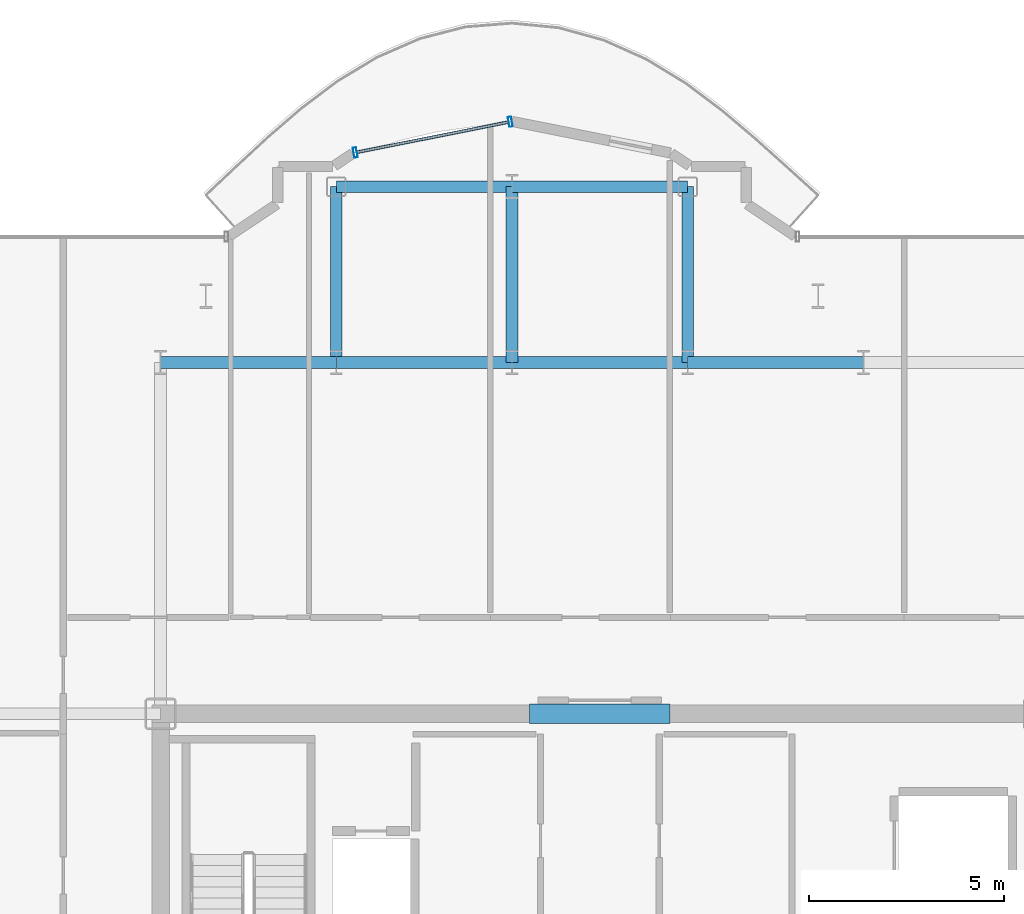
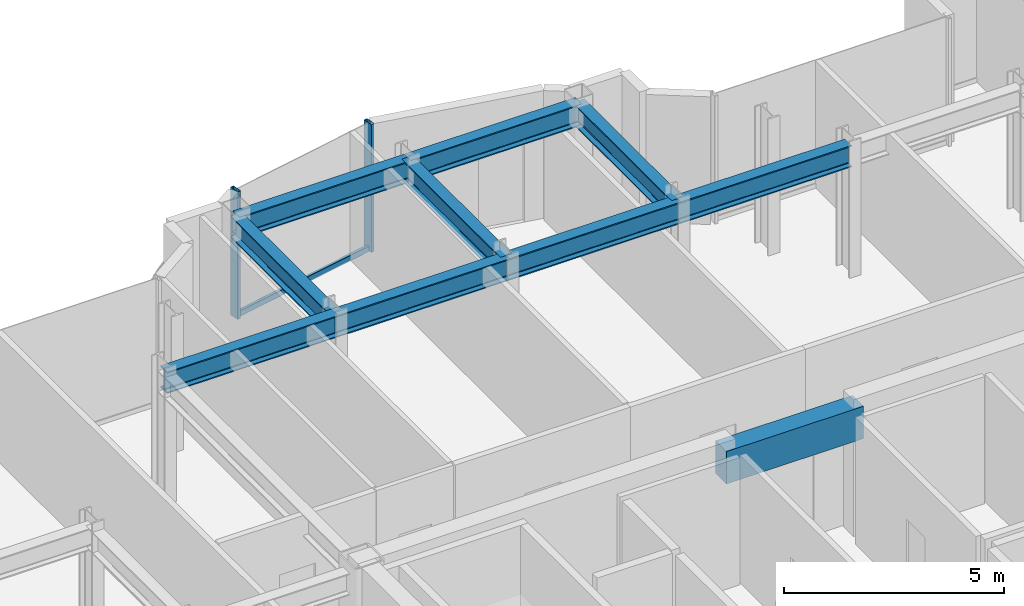
# One storey, part 10 of 18: 10 beams, 3 members, 1 element without a shape of its own.
"""IFC4 building model written with IfcOpenShell, lengths in metres."""

from ifc_helpers import new_model, si_unit, direction, frame, origin, origin_2d, place, context, subcontext, project, spatial, rectangle, hollow_rectangle, i_section, extrude, source, transform, mapped, material, layer, layer_set, material_profile, profile_set, type_object, element, aggregate, save


model = new_model("IFC4")

# Units and contexts
model_context = context("Model", 3, precision=1e-05, world=origin(), true_north=direction((0.0, 1.0)))
body_context = subcontext(model_context, "Body", "Model", "MODEL_VIEW")
ifc_project = project(units=[si_unit("LENGTHUNIT", "METRE"), si_unit("AREAUNIT", "SQUARE_METRE"), si_unit("VOLUMEUNIT", "CUBIC_METRE"), si_unit("PLANEANGLEUNIT", "RADIAN"), si_unit("MASSUNIT", "GRAM", prefix="KILO")], contexts=[model_context])

# Site, building, storey
site_placement = place(None, origin())
site = spatial("IfcSite", under=ifc_project, at=site_placement, CompositionType="ELEMENT")
building_placement = place(site_placement, origin())
building = spatial("IfcBuilding", under=site, at=building_placement, Name="Nefas-Gora Pilgrimage Tower", CompositionType="ELEMENT")
storey_placement = place(building_placement, frame((0.0, 0.0, 291.199951171875)))
storey = spatial("IfcBuildingStorey", under=building, at=storey_placement, Name="L73", CompositionType="ELEMENT", Elevation=291.199951171875)

# Beams
ifc_material_1 = material(Name="Concrete C50/60", Category="concrete")
ifc_material_profile_1 = material_profile(ifc_material_1, rectangle(XDim=0.5, YDim=0.89990234375, at=origin_2d()), Name="RC 500x900")
ifc_profile_set_1 = profile_set([ifc_material_profile_1], Name="Concrete C50/60")
beam_type_1 = type_object("IfcBeamType", Name="BM-LIN-RC900", PredefinedType="LINTEL", material=ifc_profile_set_1)
shared_shape_1 = source(origin(), body_context, "Body", "SweptSolid", [
    extrude(rectangle(XDim=0.5, YDim=0.89990234375, at=origin_2d()), origin(), (0.0, 0.0, 1.0), 3.60009765625),
])
beam_placement = place(storey_placement, frame((-1.800048828125, 9.0, 3.10009765625), z_axis=(1.0, 0.0, 0.0), x_axis=(0.0, 1.0, 0.0)))
element("IfcBeam", 1, at=beam_placement, inside=storey, type_object=beam_type_1, Name="L73 Core Coupling Lintel Beam N", PredefinedType="LINTEL", context=body_context, shape_type="MappedRepresentation", body=[
    mapped(shared_shape_1, transform((0.0, 0.0, 0.0), x_axis=(1.0, 0.0, 0.0), y_axis=(0.0, 1.0, 0.0), z_axis=(0.0, 0.0, 1.0), scale=1.0)),
])
ifc_material_2 = material(Name="Steel S355", Category="steel")
ifc_material_profile_2 = material_profile(ifc_material_2, i_section(OverallWidth=0.300048828125, OverallDepth=0.60009765625, WebThickness=0.015380859375, FlangeThickness=0.030029296875, FilletRadius=0.027099609375, at=origin_2d()), Name="HEB 600")
ifc_profile_set_2 = profile_set([ifc_material_profile_2], Name="Steel S355")
beam_type_2 = type_object("IfcBeamType", Name="BM-GIR-HEB600", PredefinedType="BEAM", material=ifc_profile_set_2)
shared_shape_2 = source(origin(), body_context, "Body", "SweptSolid", [
    extrude(i_section(OverallWidth=0.300048828125, OverallDepth=0.60009765625, WebThickness=0.015380859375, FlangeThickness=0.030029296875, FilletRadius=0.027099609375, at=origin_2d()), origin(), (0.0, 0.0, 1.0), 4.5),
])
for number, where, z_axis, x_axis, name in (
    (2, (-11.25, 18.0, 3.25), (1.0, 0.0, 0.0), (0.0, 1.0, 0.0), "L73 G-04 beam"),
    (3, (-6.75, 18.0, 3.25), (0.0, 1.0, 0.0), (-1.0, 0.0, 0.0), "L73 G-04 beam"),
    (4, (-6.75, 18.0, 3.25), (1.0, 0.0, 0.0), (0.0, 1.0, 0.0), "L73 G-04 beam"),
    (5, (-6.75, 22.5, 3.25), (1.0, 0.0, 0.0), (0.0, 1.0, 0.0), "L73 G-04 beam"),
    (6, (-2.25, 18.0, 3.25), (0.0, 1.0, 0.0), (-1.0, 0.0, 0.0), "L73 G-04 beam"),
    (7, (-2.25, 18.0, 3.25), (1.0, 0.0, 0.0), (0.0, 1.0, 0.0), "L73 G-04 beam"),
    (8, (-2.25, 22.5, 3.25), (1.0, 0.0, 0.0), (0.0, 1.0, 0.0), "L73 G-04 beam"),
    (9, (2.25, 18.0, 3.25), (0.0, 1.0, 0.0), (-1.0, 0.0, 0.0), "L73 G-04 beam"),
    (10, (2.25, 18.0, 3.25), (1.0, 0.0, 0.0), (0.0, 1.0, 0.0), "L73 G-04 beam"),
):
    element("IfcBeam", number, at=place(storey_placement, frame(where, z_axis=z_axis, x_axis=x_axis)), inside=storey, type_object=beam_type_2, Name=name, PredefinedType="BEAM", context=body_context, shape_type="MappedRepresentation", body=[
        mapped(shared_shape_2, transform((0.0, 0.0, 0.0), x_axis=(1.0, 0.0, 0.0), y_axis=(0.0, 1.0, 0.0), z_axis=(0.0, 0.0, 1.0), scale=1.0)),
    ])

# Curtain wall, members
ifc_material_3 = material(Name="Dark ceramic-fritted solar-control aluminium-glass curtain wall", Category="aluminium")
ifc_layer = layer(ifc_material_3, 0.219970703125)
ifc_layer_set = layer_set([ifc_layer], Name="Dark ceramic-fritted solar-control aluminium-glass curtain wall")
curtain_wall_type = type_object("IfcCurtainWallType", Name="CW-SYS-5", PredefinedType="NOTDEFINED", material=ifc_layer_set)
curtain_wall_placement = place(storey_placement, origin())
curtain_wall = element("IfcCurtainWall", 11, at=curtain_wall_placement, inside=storey, type_object=curtain_wall_type, Name="L73 Unitised Curtain Wall CW5", PredefinedType="NOTDEFINED")
ifc_material_4 = material(Name="Anodised architectural aluminium", Category="aluminium")
ifc_material_profile_3 = material_profile(ifc_material_4, hollow_rectangle(XDim=0.090087890625, YDim=0.260009765625, WallThickness=0.006103515625, InnerFilletRadius=0.006103515625, OuterFilletRadius=0.011962890625, at=origin_2d()), Name="ALU MULLION 90x260")
ifc_profile_set_3 = profile_set([ifc_material_profile_3], Name="Anodised architectural aluminium")
member_type_1 = type_object("IfcMemberType", Name="CWM-MUL-5", PredefinedType="MULLION", material=ifc_profile_set_3)
shared_shape_3 = source(origin(), body_context, "Body", "SweptSolid", [
    extrude(hollow_rectangle(XDim=0.090087890625, YDim=0.260009765625, WallThickness=0.006103515625, InnerFilletRadius=0.006103515625, OuterFilletRadius=0.011962890625, at=origin_2d()), origin(), (0.0, 0.0, 1.0), 3.550048828125),
])
member_1_placement = place(storey_placement, frame((-2.294189453125, 24.16357421875, 0.0), z_axis=(0.0, 0.0, 1.0), x_axis=(-0.980782896852, -0.195102304554, 0.0)))
member_1 = element("IfcMember", 12, at=member_1_placement, type_object=member_type_1, Name="CW5 Mullion 1", PredefinedType="MULLION", context=body_context, shape_type="MappedRepresentation", body=[
    mapped(shared_shape_3, transform((0.0, 0.0, 0.0), x_axis=(1.0, 0.0, 0.0), y_axis=(0.0, 1.0, 0.0), z_axis=(0.0, 0.0, 1.0), scale=1.0)),
])
member_2_placement = place(storey_placement, frame((-6.26318359375, 23.3740234375, 0.0), z_axis=(0.0, 0.0, 1.0), x_axis=(-0.980782896852, -0.195102304554, 0.0)))
member_2 = element("IfcMember", 13, at=member_2_placement, type_object=member_type_1, Name="CW5 Mullion 2", PredefinedType="MULLION", context=body_context, shape_type="MappedRepresentation", body=[
    mapped(shared_shape_3, transform((0.0, 0.0, 0.0), x_axis=(1.0, 0.0, 0.0), y_axis=(0.0, 1.0, 0.0), z_axis=(0.0, 0.0, 1.0), scale=1.0)),
])
ifc_material_profile_4 = material_profile(ifc_material_4, hollow_rectangle(XDim=0.080078125, YDim=0.159912109375, WallThickness=0.00439453125, InnerFilletRadius=0.00439453125, OuterFilletRadius=0.009033203125, at=origin_2d()), Name="ALU TRANSOM 80x160")
ifc_profile_set_4 = profile_set([ifc_material_profile_4], Name="Anodised architectural aluminium")
member_type_2 = type_object("IfcMemberType", Name="CWM-TRN-5", PredefinedType="USERDEFINED", material=ifc_profile_set_4)
shared_shape_4 = source(origin(), body_context, "Body", "SweptSolid", [
    extrude(hollow_rectangle(XDim=0.080078125, YDim=0.159912109375, WallThickness=0.00439453125, InnerFilletRadius=0.00439453125, OuterFilletRadius=0.009033203125, at=origin_2d()), origin(), (0.0, 0.0, 1.0), 3.95654296875),
])
member_3_placement = place(storey_placement, frame((-2.33837890625, 24.15478515625, 0.050048828125), z_axis=(-0.980781880918, -0.195107411605, 0.0), x_axis=(0.195107411605, -0.980781880918, 0.0)))
member_3 = element("IfcMember", 14, at=member_3_placement, type_object=member_type_2, Name="CW5 Spandrel Transom", ObjectType="TRANSOM", PredefinedType="USERDEFINED", context=body_context, shape_type="MappedRepresentation", body=[
    mapped(shared_shape_4, transform((0.0, 0.0, 0.0), x_axis=(1.0, 0.0, 0.0), y_axis=(0.0, 1.0, 0.0), z_axis=(0.0, 0.0, 1.0), scale=1.0)),
])
aggregate(curtain_wall, [member_1, member_2, member_3])

save(model, "model.ifc")
